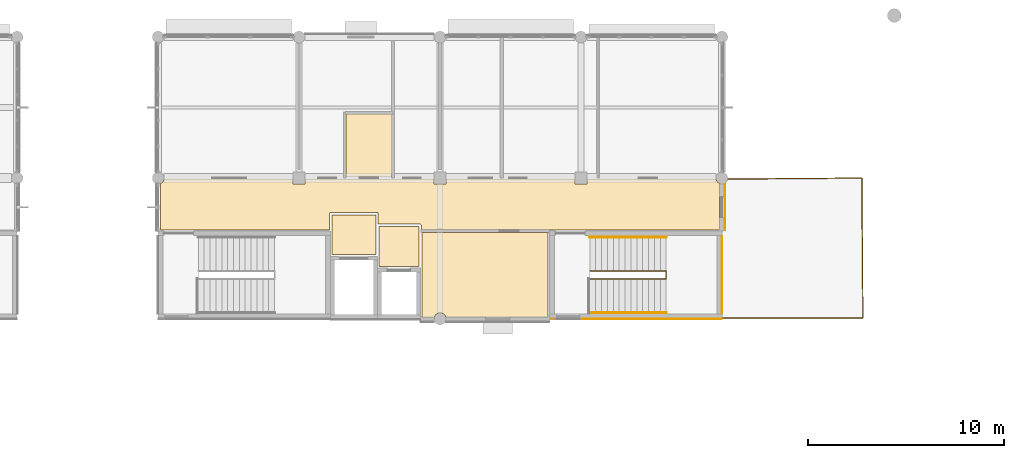
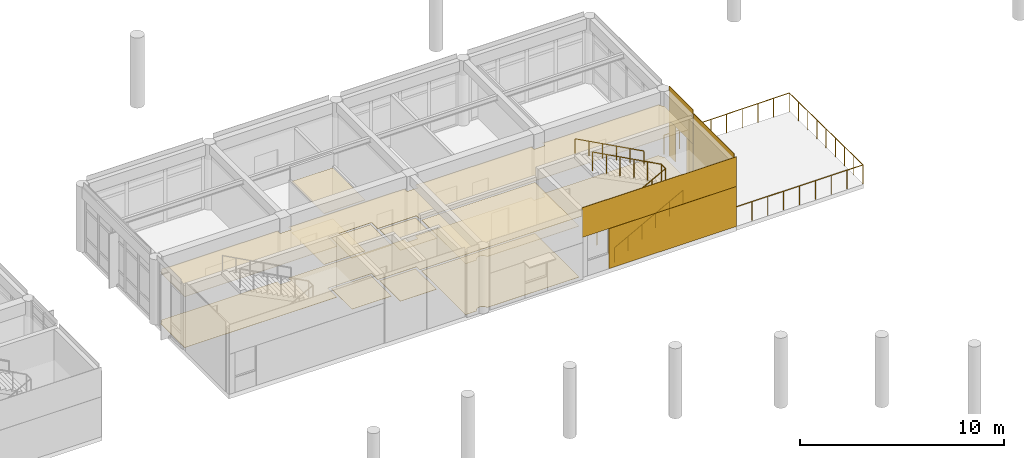
# One storey, part 39 of 41: 16 coverings, 4 railings.
"""IFC4 building model written with IfcOpenShell, lengths in metres."""

from ifc_helpers import new_model, si_unit, direction, frame, origin, origin_2d, place, context, subcontext, project, spatial, polyline, rectangle, circle, outline, extrude, material, layer, layer_set, type_object, element, save


model = new_model("IFC4")

# Units and contexts
model_context = context("Model", 3, precision=1e-05, world=origin(), true_north=direction((0.0, 1.0)))
body_context = subcontext(model_context, "Body", "Model", "MODEL_VIEW")
ifc_project = project(units=[si_unit("LENGTHUNIT", "METRE"), si_unit("AREAUNIT", "SQUARE_METRE"), si_unit("VOLUMEUNIT", "CUBIC_METRE"), si_unit("PLANEANGLEUNIT", "RADIAN"), si_unit("MASSUNIT", "GRAM", prefix="KILO")], contexts=[model_context])

# Site, building, storey
site_placement = place(None, origin())
site = spatial("IfcSite", under=ifc_project, at=site_placement, CompositionType="ELEMENT")
building_placement = place(site_placement, origin())
building = spatial("IfcBuilding", under=site, at=building_placement, Name="Namkhue Oval Health Centre", CompositionType="ELEMENT")
storey_placement = place(building_placement, frame((0.0, 0.0, 13.800048828125)))
storey = spatial("IfcBuildingStorey", under=building, at=storey_placement, Name="L03", CompositionType="ELEMENT", Elevation=13.800048828125)

# Coverings
ifc_material_1 = material(Name="Acoustic mineral-fibre cleanroom ceiling", Category="gypsum")
ifc_layer_1 = layer(ifc_material_1, 0.02001953125)
ifc_layer_set_1 = layer_set([ifc_layer_1], Name="Acoustic mineral-fibre cleanroom ceiling")
covering_type_1 = type_object("IfcCoveringType", Name="ACOUSTIC CLEANROOM CEILING 20", PredefinedType="CEILING", material=ifc_layer_set_1)
covering_1_placement = place(storey_placement, frame((0.0, 0.0, 3.050048828125)))
element("IfcCovering", 1, at=covering_1_placement, inside=storey, type_object=covering_type_1, Name="Acoustic Ceiling L03-LL3 Lift Lobby LF-03", PredefinedType="CEILING", context=body_context, shape_type="SweptSolid", body=[
    extrude(outline(polyline([(102.47998046875, 93.280029296875), (102.47998046875, 95.320068359375), (104.719970703125, 95.320068359375), (104.719970703125, 93.280029296875), (102.47998046875, 93.280029296875)])), origin(), (0.0, 0.0, 1.0), 0.02001953125),
])
covering_2_placement = place(storey_placement, frame((0.0, 0.0, 3.050048828125)))
element("IfcCovering", 2, at=covering_2_placement, inside=storey, type_object=covering_type_1, Name="Acoustic Ceiling L03-LL4 Lift Lobby LF-04", PredefinedType="CEILING", context=body_context, shape_type="SweptSolid", body=[
    extrude(outline(polyline([(104.8798828125, 92.679931640625), (104.8798828125, 94.719970703125), (106.919921875, 94.719970703125), (106.919921875, 92.679931640625), (104.8798828125, 92.679931640625)])), origin(), (0.0, 0.0, 1.0), 0.02001953125),
])
covering_3_placement = place(storey_placement, frame((0.0, 0.0, 3.050048828125)))
element("IfcCovering", 3, at=covering_3_placement, inside=storey, type_object=covering_type_1, Name="Acoustic Ceiling L03-V3-C1 V3 Clinical Corridor", PredefinedType="CEILING", context=body_context, shape_type="SweptSolid", body=[
    extrude(outline(polyline([(107.0400390625, 94.800048828125), (107.037109375, 94.815185546875), (107.0283203125, 94.828369140625), (107.015380859375, 94.8369140625), (107.0, 94.840087890625), (104.840087890625, 94.840087890625), (104.83984375, 95.40380859375), (104.8369140625, 95.415283203125), (104.828369140625, 95.42822265625), (104.815185546875, 95.43701171875), (104.803955078125, 95.439697265625), (102.39990234375, 95.43994140625), (102.384765625, 95.43701171875), (102.37158203125, 95.42822265625), (102.363037109375, 95.415283203125), (102.360107421875, 95.39990234375), (102.360107421875, 94.5400390625), (93.72509765625, 94.5400390625), (93.72509765625, 96.919189453125), (93.7548828125, 96.931396484375), (93.819091796875, 96.980712890625), (93.868408203125, 97.044921875), (93.8994140625, 97.119873046875), (93.90478515625, 97.159912109375), (100.489990234375, 97.159912109375), (100.489990234375, 96.889892578125), (101.110107421875, 96.889892578125), (101.110107421875, 97.159912109375), (107.68994140625, 97.159912109375), (107.68994140625, 96.889892578125), (108.31005859375, 96.889892578125), (108.31005859375, 97.159912109375), (114.889892578125, 97.159912109375), (114.889892578125, 96.889892578125), (115.510009765625, 96.889892578125), (115.510009765625, 97.159912109375), (122.09521484375, 97.159912109375), (122.1005859375, 97.119873046875), (122.131591796875, 97.044921875), (122.180908203125, 96.980712890625), (122.2451171875, 96.931396484375), (122.27490234375, 96.919189453125), (122.27490234375, 94.5400390625), (107.0400390625, 94.5400390625), (107.0400390625, 94.800048828125)])), origin(), (0.0, 0.0, 1.0), 0.02001953125),
])
covering_4_placement = place(storey_placement, frame((0.0, 0.0, 3.050048828125)))
element("IfcCovering", 4, at=covering_4_placement, inside=storey, type_object=covering_type_1, Name="Acoustic Ceiling L03-303 Accessible WC", PredefinedType="CEILING", context=body_context, shape_type="SweptSolid", body=[
    extrude(outline(polyline([(105.5400390625, 100.4599609375), (105.5400390625, 97.280029296875), (103.199951171875, 97.280029296875), (103.199951171875, 100.4599609375), (105.5400390625, 100.4599609375)])), origin(), (0.0, 0.0, 1.0), 0.02001953125),
])
covering_5_placement = place(storey_placement, frame((0.0, 0.0, 3.050048828125)))
element("IfcCovering", 5, at=covering_5_placement, inside=storey, type_object=covering_type_1, Name="Acoustic Ceiling L03-308 East Terrace Seminar Breakout Lounge", PredefinedType="CEILING", context=body_context, shape_type="SweptSolid", body=[
    extrude(outline(polyline([(108.297607421875, 90.0849609375), (108.2685546875, 90.155029296875), (108.21923828125, 90.21923828125), (108.155029296875, 90.2685546875), (108.080078125, 90.29931640625), (108.0, 90.31005859375), (107.919921875, 90.29931640625), (107.844970703125, 90.2685546875), (107.78076171875, 90.21923828125), (107.7314453125, 90.155029296875), (107.702392578125, 90.0849609375), (107.080078125, 90.0849609375), (107.080078125, 94.419921875), (113.52001953125, 94.419921875), (113.52001953125, 90.0849609375), (108.297607421875, 90.0849609375)])), origin(), (0.0, 0.0, 1.0), 0.02001953125),
])
ifc_material_2 = material(Name="Homogeneous anti-bacterial clinical vinyl flooring", Category="plastic")
ifc_layer_2 = layer(ifc_material_2, 0.014892578125)
ifc_layer_set_2 = layer_set([ifc_layer_2], Name="Homogeneous anti-bacterial clinical vinyl flooring")
covering_type_2 = type_object("IfcCoveringType", Name="CLINICAL ANTIBACTERIAL VINYL FLOORING 15", PredefinedType="FLOORING", material=ifc_layer_set_2)
covering_6_placement = place(storey_placement, origin())
element("IfcCovering", 6, at=covering_6_placement, inside=storey, type_object=covering_type_2, Name="Clinical Flooring L03-LL3 Lift Lobby LF-03", PredefinedType="FLOORING", context=body_context, shape_type="SweptSolid", body=[
    extrude(outline(polyline([(102.47998046875, 93.280029296875), (102.47998046875, 95.320068359375), (104.719970703125, 95.320068359375), (104.719970703125, 93.280029296875), (102.47998046875, 93.280029296875)])), origin(), (0.0, 0.0, 1.0), 0.014892578125),
])
covering_7_placement = place(storey_placement, origin())
element("IfcCovering", 7, at=covering_7_placement, inside=storey, type_object=covering_type_2, Name="Clinical Flooring L03-LL4 Lift Lobby LF-04", PredefinedType="FLOORING", context=body_context, shape_type="SweptSolid", body=[
    extrude(outline(polyline([(104.8798828125, 92.679931640625), (104.8798828125, 94.719970703125), (106.919921875, 94.719970703125), (106.919921875, 92.679931640625), (104.8798828125, 92.679931640625)])), origin(), (0.0, 0.0, 1.0), 0.014892578125),
])
covering_8_placement = place(storey_placement, origin())
element("IfcCovering", 8, at=covering_8_placement, inside=storey, type_object=covering_type_2, Name="Clinical Flooring L03-V3-C1 V3 Clinical Corridor", PredefinedType="FLOORING", context=body_context, shape_type="SweptSolid", body=[
    extrude(outline(polyline([(107.0400390625, 94.800048828125), (107.037109375, 94.815185546875), (107.0283203125, 94.828369140625), (107.015380859375, 94.8369140625), (107.0, 94.840087890625), (104.840087890625, 94.840087890625), (104.83984375, 95.40380859375), (104.8369140625, 95.415283203125), (104.828369140625, 95.42822265625), (104.815185546875, 95.43701171875), (104.803955078125, 95.439697265625), (102.39990234375, 95.43994140625), (102.384765625, 95.43701171875), (102.37158203125, 95.42822265625), (102.363037109375, 95.415283203125), (102.360107421875, 95.39990234375), (102.360107421875, 94.5400390625), (93.72509765625, 94.5400390625), (93.72509765625, 96.919189453125), (93.7548828125, 96.931396484375), (93.819091796875, 96.980712890625), (93.868408203125, 97.044921875), (93.8994140625, 97.119873046875), (93.90478515625, 97.159912109375), (100.489990234375, 97.159912109375), (100.489990234375, 96.889892578125), (101.110107421875, 96.889892578125), (101.110107421875, 97.159912109375), (107.68994140625, 97.159912109375), (107.68994140625, 96.889892578125), (108.31005859375, 96.889892578125), (108.31005859375, 97.159912109375), (114.889892578125, 97.159912109375), (114.889892578125, 96.889892578125), (115.510009765625, 96.889892578125), (115.510009765625, 97.159912109375), (122.09521484375, 97.159912109375), (122.1005859375, 97.119873046875), (122.131591796875, 97.044921875), (122.180908203125, 96.980712890625), (122.2451171875, 96.931396484375), (122.27490234375, 96.919189453125), (122.27490234375, 94.5400390625), (107.0400390625, 94.5400390625), (107.0400390625, 94.800048828125)])), origin(), (0.0, 0.0, 1.0), 0.014892578125),
])
covering_9_placement = place(storey_placement, origin())
element("IfcCovering", 9, at=covering_9_placement, inside=storey, type_object=covering_type_2, Name="Clinical Flooring L03-303 Accessible WC", PredefinedType="FLOORING", context=body_context, shape_type="SweptSolid", body=[
    extrude(outline(polyline([(105.5400390625, 100.4599609375), (105.5400390625, 97.280029296875), (103.199951171875, 97.280029296875), (103.199951171875, 100.4599609375), (105.5400390625, 100.4599609375)])), origin(), (0.0, 0.0, 1.0), 0.014892578125),
])
covering_10_placement = place(storey_placement, origin())
element("IfcCovering", 10, at=covering_10_placement, inside=storey, type_object=covering_type_2, Name="Clinical Flooring L03-308 East Terrace Seminar Breakout Lounge", PredefinedType="FLOORING", context=body_context, shape_type="SweptSolid", body=[
    extrude(outline(polyline([(108.297607421875, 90.0849609375), (108.2685546875, 90.155029296875), (108.21923828125, 90.21923828125), (108.155029296875, 90.2685546875), (108.080078125, 90.29931640625), (108.0, 90.31005859375), (107.919921875, 90.29931640625), (107.844970703125, 90.2685546875), (107.78076171875, 90.21923828125), (107.7314453125, 90.155029296875), (107.702392578125, 90.0849609375), (107.080078125, 90.0849609375), (107.080078125, 94.419921875), (113.52001953125, 94.419921875), (113.52001953125, 90.0849609375), (108.297607421875, 90.0849609375)])), origin(), (0.0, 0.0, 1.0), 0.014892578125),
])

# Railings
ifc_material_3 = material(Name="Brushed stainless steel 316L balustrade with laminated glass infill", Category="steel")
railing_type_1 = type_object("IfcRailingType", Name="EXTERIOR BALUSTRADE GUARD 1150", PredefinedType="BALUSTRADE", material=ifc_material_3)
railing_1_placement = place(storey_placement, frame((122.39990234375, 90.06005859375, 0.0)))
element("IfcRailing", 11, at=railing_1_placement, inside=storey, type_object=railing_type_1, Name="Volume V3 L03 Terrace Balustrade Guard 1", PredefinedType="BALUSTRADE", context=body_context, shape_type="SweptSolid", body=[
    extrude(circle(Radius=0.02392578125, at=origin_2d()), frame((0.0, 0.0, 1.1259765625), z_axis=(1.0, 0.0, 0.0), x_axis=(0.0, 1.0, 0.0)), (0.0, 0.0, 1.0), 7.2001953125),
    extrude(circle(Radius=0.02392578125, at=origin_2d()), frame((7.2001953125, 0.0, 1.1259765625), z_axis=(-0.008411396731, 0.999964623577, 0.0), x_axis=(-0.999964623577, -0.008411396731, 0.0)), (0.0, 0.0, 1.0), 7.14013671875),
    extrude(circle(Radius=0.02392578125, at=origin_2d()), frame((7.14013671875, 7.139892578125, 1.1259765625), z_axis=(-0.999964625996, -0.008411109143, 0.0), x_axis=(0.008411109143, -0.999964625996, 0.0)), (0.0, 0.0, 1.0), 7.140380859375),
    extrude(circle(Radius=0.02099609375, at=origin_2d()), origin(), (0.0, 0.0, 1.0), 1.101806640625),
    extrude(circle(Radius=0.02099609375, at=origin_2d()), frame((0.89990234375, 0.0, 0.0)), (0.0, 0.0, 1.0), 1.101806640625),
    extrude(circle(Radius=0.02099609375, at=origin_2d()), frame((1.800048828125, 0.0, 0.0)), (0.0, 0.0, 1.0), 1.101806640625),
    extrude(circle(Radius=0.02099609375, at=origin_2d()), frame((2.7001953125, 0.0, 0.0)), (0.0, 0.0, 1.0), 1.101806640625),
    extrude(circle(Radius=0.02099609375, at=origin_2d()), frame((3.60009765625, 0.0, 0.0)), (0.0, 0.0, 1.0), 1.101806640625),
    extrude(circle(Radius=0.02099609375, at=origin_2d()), frame((4.5, 0.0, 0.0)), (0.0, 0.0, 1.0), 1.101806640625),
    extrude(circle(Radius=0.02099609375, at=origin_2d()), frame((5.400146484375, 0.0, 0.0)), (0.0, 0.0, 1.0), 1.101806640625),
    extrude(circle(Radius=0.02099609375, at=origin_2d()), frame((6.30029296875, 0.0, 0.0)), (0.0, 0.0, 1.0), 1.101806640625),
    extrude(circle(Radius=0.02099609375, at=origin_2d()), frame((7.2001953125, 0.0, 0.0)), (0.0, 0.0, 1.0), 1.101806640625),
    extrude(circle(Radius=0.02099609375, at=origin_2d()), frame((7.192626953125, 0.892578125, 0.0)), (0.0, 0.0, 1.0), 1.101806640625),
    extrude(circle(Radius=0.02099609375, at=origin_2d()), frame((7.18505859375, 1.784912109375, 0.0)), (0.0, 0.0, 1.0), 1.101806640625),
    extrude(circle(Radius=0.02099609375, at=origin_2d()), frame((7.177734375, 2.677490234375, 0.0)), (0.0, 0.0, 1.0), 1.101806640625),
    extrude(circle(Radius=0.02099609375, at=origin_2d()), frame((7.170166015625, 3.56982421875, 0.0)), (0.0, 0.0, 1.0), 1.101806640625),
    extrude(circle(Radius=0.02099609375, at=origin_2d()), frame((7.16259765625, 4.46240234375, 0.0)), (0.0, 0.0, 1.0), 1.101806640625),
    extrude(circle(Radius=0.02099609375, at=origin_2d()), frame((7.1552734375, 5.35498046875, 0.0)), (0.0, 0.0, 1.0), 1.101806640625),
    extrude(circle(Radius=0.02099609375, at=origin_2d()), frame((7.147705078125, 6.247314453125, 0.0)), (0.0, 0.0, 1.0), 1.101806640625),
    extrude(circle(Radius=0.02099609375, at=origin_2d()), frame((7.14013671875, 7.139892578125, 0.0)), (0.0, 0.0, 1.0), 1.101806640625),
    extrude(circle(Radius=0.02099609375, at=origin_2d()), frame((6.24755859375, 7.13232421875, 0.0)), (0.0, 0.0, 1.0), 1.101806640625),
    extrude(circle(Radius=0.02099609375, at=origin_2d()), frame((5.35498046875, 7.125, 0.0)), (0.0, 0.0, 1.0), 1.101806640625),
    extrude(circle(Radius=0.02099609375, at=origin_2d()), frame((4.462646484375, 7.117431640625, 0.0)), (0.0, 0.0, 1.0), 1.101806640625),
    extrude(circle(Radius=0.02099609375, at=origin_2d()), frame((3.570068359375, 7.10986328125, 0.0)), (0.0, 0.0, 1.0), 1.101806640625),
    extrude(circle(Radius=0.02099609375, at=origin_2d()), frame((2.677490234375, 7.102294921875, 0.0)), (0.0, 0.0, 1.0), 1.101806640625),
    extrude(circle(Radius=0.02099609375, at=origin_2d()), frame((1.78515625, 7.0947265625, 0.0)), (0.0, 0.0, 1.0), 1.101806640625),
    extrude(circle(Radius=0.02099609375, at=origin_2d()), frame((0.892578125, 7.08740234375, 0.0)), (0.0, 0.0, 1.0), 1.101806640625),
    extrude(circle(Radius=0.02099609375, at=origin_2d()), frame((0.0, 7.079833984375, 0.0)), (0.0, 0.0, 1.0), 1.101806640625),
])
railing_type_2 = type_object("IfcRailingType", Name="INTERIOR BALUSTRADE GUARD 1150", PredefinedType="BALUSTRADE", material=ifc_material_3)
railing_2_placement = place(storey_placement, frame((115.64990234375, 92.0400390625, 0.0)))
element("IfcRailing", 12, at=railing_2_placement, inside=storey, type_object=railing_type_2, Name="Stair ST-06 L03 Inner Well Guard", PredefinedType="BALUSTRADE", context=body_context, shape_type="SweptSolid", body=[
    extrude(circle(Radius=0.02392578125, at=origin_2d()), frame((0.0, 0.0, 1.1259765625), z_axis=(0.88049233674, 0.0, 0.474060381114), x_axis=(0.0, 1.0, 0.0)), (0.0, 0.0, 1.0), 4.429443359375),
    extrude(circle(Radius=0.02392578125, at=origin_2d()), frame((3.900146484375, 0.0, 3.2255859375), z_axis=(0.0, 1.0, 0.0), x_axis=(-1.0, 0.0, 0.0)), (0.0, 0.0, 1.0), 0.419921875),
    extrude(circle(Radius=0.02392578125, at=origin_2d()), frame((3.900146484375, 0.419921875, 3.2255859375), z_axis=(-0.880469330154, 0.0, 0.474103109733), x_axis=(0.0, -1.0, 0.0)), (0.0, 0.0, 1.0), 4.4296875),
    extrude(circle(Radius=0.02099609375, at=origin_2d()), origin(), (0.0, 0.0, 1.0), 1.101806640625),
    extrude(circle(Radius=0.02099609375, at=origin_2d()), frame((0.780029296875, 0.0, 0.419921875)), (0.0, 0.0, 1.0), 1.101806640625),
    extrude(circle(Radius=0.02099609375, at=origin_2d()), frame((1.56005859375, 0.0, 0.83984375)), (0.0, 0.0, 1.0), 1.101806640625),
    extrude(circle(Radius=0.02099609375, at=origin_2d()), frame((2.340087890625, 0.0, 1.260009765625)), (0.0, 0.0, 1.0), 1.101806640625),
    extrude(circle(Radius=0.02099609375, at=origin_2d()), frame((3.1201171875, 0.0, 1.679931640625)), (0.0, 0.0, 1.0), 1.101806640625),
    extrude(circle(Radius=0.02099609375, at=origin_2d()), frame((3.900146484375, 0.0, 2.099853515625)), (0.0, 0.0, 1.0), 1.101806640625),
    extrude(circle(Radius=0.02099609375, at=origin_2d()), frame((3.900146484375, 0.419921875, 2.099853515625)), (0.0, 0.0, 1.0), 1.101806640625),
    extrude(circle(Radius=0.02099609375, at=origin_2d()), frame((3.1201171875, 0.419921875, 2.519775390625)), (0.0, 0.0, 1.0), 1.101806640625),
    extrude(circle(Radius=0.02099609375, at=origin_2d()), frame((2.340087890625, 0.419921875, 2.93994140625)), (0.0, 0.0, 1.0), 1.101806640625),
    extrude(circle(Radius=0.02099609375, at=origin_2d()), frame((1.56005859375, 0.419921875, 3.35986328125)), (0.0, 0.0, 1.0), 1.101806640625),
    extrude(circle(Radius=0.02099609375, at=origin_2d()), frame((0.780029296875, 0.419921875, 3.780029296875)), (0.0, 0.0, 1.0), 1.101806640625),
    extrude(circle(Radius=0.02099609375, at=origin_2d()), frame((0.0, 0.419921875, 4.199951171875)), (0.0, 0.0, 1.0), 1.101806640625),
])
ifc_material_4 = material(Name="Brushed stainless steel 304 tubular handrail", Category="steel")
railing_type_3 = type_object("IfcRailingType", Name="INTERIOR STAIR HANDRAIL 900", PredefinedType="HANDRAIL", material=ifc_material_4)
railing_3_placement = place(storey_placement, frame((115.64990234375, 90.320068359375, 0.0)))
element("IfcRailing", 13, at=railing_3_placement, inside=storey, type_object=railing_type_3, Name="Stair ST-06 L03 Flight 1 Handrail", PredefinedType="HANDRAIL", context=body_context, shape_type="SweptSolid", body=[
    extrude(circle(Radius=0.02392578125, at=origin_2d()), frame((0.0, 0.0, 0.8759765625), z_axis=(0.88049233674, 0.0, 0.474060381114), x_axis=(0.0, 1.0, 0.0)), (0.0, 0.0, 1.0), 4.429443359375),
    extrude(circle(Radius=0.02099609375, at=origin_2d()), origin(), (0.0, 0.0, 1.0), 0.851806640625),
    extrude(circle(Radius=0.02099609375, at=origin_2d()), frame((0.780029296875, 0.0, 0.419921875)), (0.0, 0.0, 1.0), 0.851806640625),
    extrude(circle(Radius=0.02099609375, at=origin_2d()), frame((1.56005859375, 0.0, 0.83984375)), (0.0, 0.0, 1.0), 0.851806640625),
    extrude(circle(Radius=0.02099609375, at=origin_2d()), frame((2.340087890625, 0.0, 1.260009765625)), (0.0, 0.0, 1.0), 0.851806640625),
    extrude(circle(Radius=0.02099609375, at=origin_2d()), frame((3.1201171875, 0.0, 1.679931640625)), (0.0, 0.0, 1.0), 0.851806640625),
    extrude(circle(Radius=0.02099609375, at=origin_2d()), frame((3.900146484375, 0.0, 2.099853515625)), (0.0, 0.0, 1.0), 0.851806640625),
])
railing_4_placement = place(storey_placement, frame((119.550048828125, 94.179931640625, 2.099853515625)))
element("IfcRailing", 14, at=railing_4_placement, inside=storey, type_object=railing_type_3, Name="Stair ST-06 L03 Flight 2 Handrail", PredefinedType="HANDRAIL", context=body_context, shape_type="SweptSolid", body=[
    extrude(circle(Radius=0.02392578125, at=origin_2d()), frame((0.0, 0.0, 0.8759765625), z_axis=(-0.880469330154, 0.0, 0.474103109733), x_axis=(0.0, -1.0, 0.0)), (0.0, 0.0, 1.0), 4.4296875),
    extrude(circle(Radius=0.02099609375, at=origin_2d()), origin(), (0.0, 0.0, 1.0), 0.851806640625),
    extrude(circle(Radius=0.02099609375, at=origin_2d()), frame((-0.780029296875, 0.0, 0.419921875)), (0.0, 0.0, 1.0), 0.851806640625),
    extrude(circle(Radius=0.02099609375, at=origin_2d()), frame((-1.56005859375, 0.0, 0.840087890625)), (0.0, 0.0, 1.0), 0.851806640625),
    extrude(circle(Radius=0.02099609375, at=origin_2d()), frame((-2.340087890625, 0.0, 1.260009765625)), (0.0, 0.0, 1.0), 0.851806640625),
    extrude(circle(Radius=0.02099609375, at=origin_2d()), frame((-3.1201171875, 0.0, 1.68017578125)), (0.0, 0.0, 1.0), 0.851806640625),
    extrude(circle(Radius=0.02099609375, at=origin_2d()), frame((-3.900146484375, 0.0, 2.10009765625)), (0.0, 0.0, 1.0), 0.851806640625),
])

# Coverings
ifc_material_5 = material(Name="White glass-fibre reinforced concrete GRC rainscreen cladding", Category="concrete")
ifc_layer_3 = layer(ifc_material_5, 0.02490234375)
ifc_layer_set_3 = layer_set([ifc_layer_3], Name="White glass-fibre reinforced concrete GRC rainscreen cladding")
covering_type_3 = type_object("IfcCoveringType", Name="WHITE GRC RAINSCREEN CLADDING 25", PredefinedType="CLADDING", material=ifc_layer_set_3)
covering_11_placement = place(storey_placement, frame((122.556884765625, 95.70361328125, 2.11474609375), z_axis=(0.0, 0.0, 1.0), x_axis=(0.0, 1.0, 0.0)))
element("IfcCovering", 15, at=covering_11_placement, inside=storey, type_object=covering_type_3, Name="Volume V3 L03 Facade 76 White GRC Cladding 1", PredefinedType="CLADDING", context=body_context, shape_type="SweptSolid", body=[
    extrude(rectangle(XDim=2.363037109375, YDim=0.02490234375, at=origin_2d()), origin(), (0.0, 0.0, 1.0), 2.074951171875),
])
for number, where, z_axis, x_axis, name in (
    (16, (122.556884765625, 94.84521484375, 0.010009765625), (0.0, 0.0, 1.0), (0.0, 1.0, 0.0), "Volume V3 L03 Facade 76 White GRC Cladding 2"),
    (17, (122.556884765625, 96.561767578125, 0.010009765625), (0.0, 0.0, 1.0), (0.0, 1.0, 0.0), "Volume V3 L03 Facade 76 White GRC Cladding 3"),
):
    element("IfcCovering", number, at=place(storey_placement, frame(where, z_axis=z_axis, x_axis=x_axis)), inside=storey, type_object=covering_type_3, Name=name, PredefinedType="CLADDING", context=body_context, shape_type="SweptSolid", body=[
        extrude(rectangle(XDim=0.646484375, YDim=0.02490234375, at=origin_2d()), origin(), (0.0, 0.0, 1.0), 2.10009765625),
    ])
covering_12_placement = place(storey_placement, frame((118.0, 89.988037109375, 2.4150390625), z_axis=(0.0, 0.0, 1.0), x_axis=(1.0, 0.0, 0.0)))
element("IfcCovering", 18, at=covering_12_placement, inside=storey, type_object=covering_type_3, Name="Core SC-06 L03 Core S White GRC Cladding 1", PredefinedType="CLADDING", context=body_context, shape_type="SweptSolid", body=[
    extrude(rectangle(XDim=8.760009765625, YDim=0.02490234375, at=origin_2d()), origin(), (0.0, 0.0, 1.0), 1.77490234375),
])
covering_13_placement = place(storey_placement, frame((118.762451171875, 89.988037109375, 0.010009765625), z_axis=(0.0, 0.0, 1.0), x_axis=(1.0, 0.0, 0.0)))
element("IfcCovering", 19, at=covering_13_placement, inside=storey, type_object=covering_type_3, Name="Core SC-06 L03 Core S White GRC Cladding 4", PredefinedType="CLADDING", context=body_context, shape_type="SweptSolid", body=[
    extrude(rectangle(XDim=7.235107421875, YDim=0.02490234375, at=origin_2d()), origin(), (0.0, 0.0, 1.0), 2.39990234375),
])
covering_14_placement = place(storey_placement, frame((122.412109375, 92.25, 0.009765625), z_axis=(0.0, 0.0, 1.0), x_axis=(0.0, 1.0, 0.0)))
element("IfcCovering", 20, at=covering_14_placement, inside=storey, type_object=covering_type_3, Name="Core SC-06 L03 Core E White GRC Cladding 1", PredefinedType="CLADDING", context=body_context, shape_type="SweptSolid", body=[
    extrude(rectangle(XDim=3.9599609375, YDim=0.02490234375, at=origin_2d()), origin(), (0.0, 0.0, 1.0), 4.179931640625),
])

save(model, "model.ifc")
